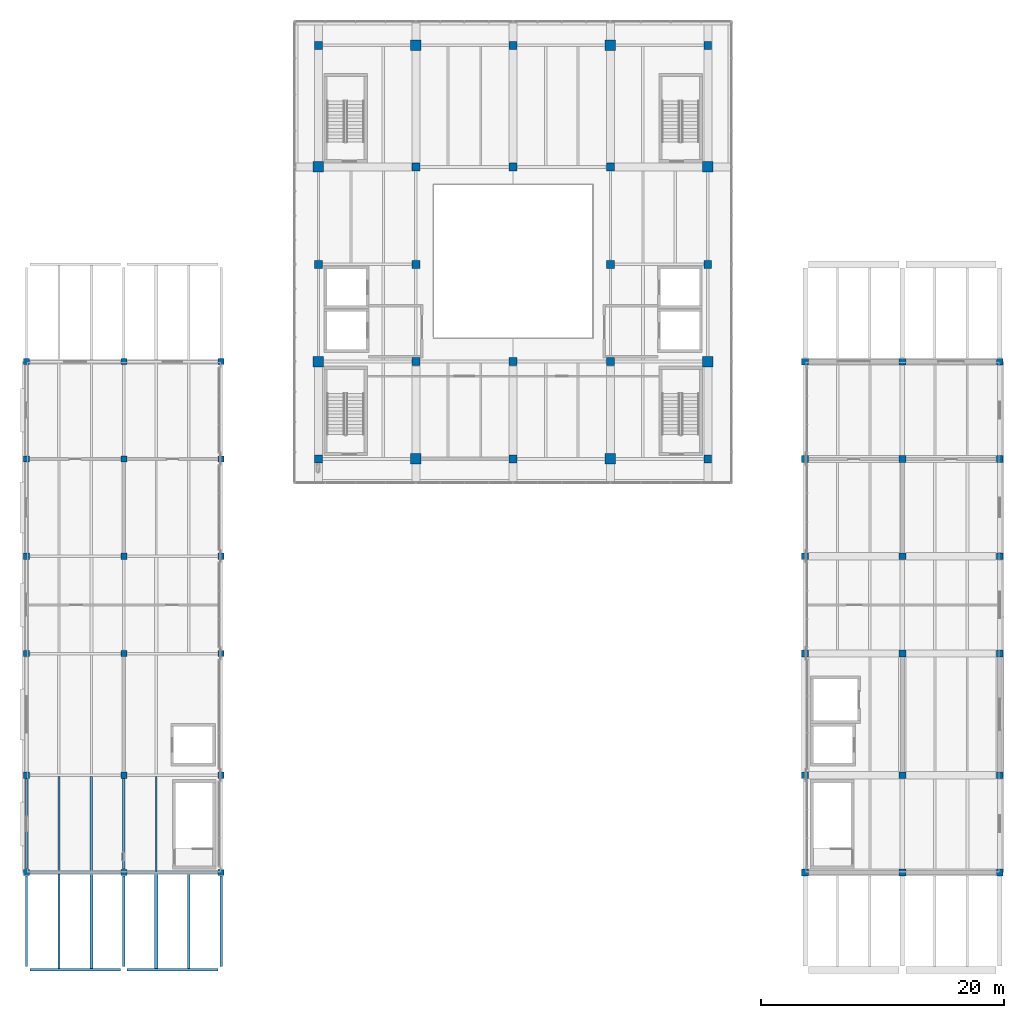
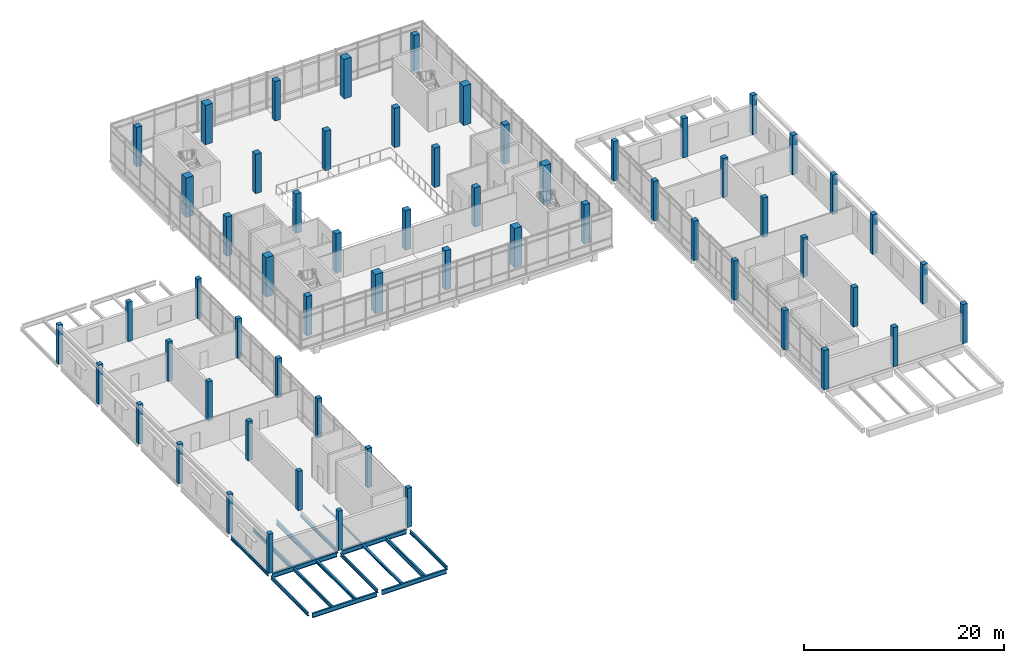
# One storey, part 1 of 28: 60 columns, 16 beams.
"""IFC4 building model written with IfcOpenShell, lengths in metres."""

from ifc_helpers import new_model, si_unit, direction, frame, origin, origin_2d, place, context, subcontext, project, spatial, rectangle, i_section, extrude, material, material_profile, profile_set, type_object, element, save


model = new_model("IFC4")

# Units and contexts
model_context = context("Model", 3, precision=1e-05, world=origin(), true_north=direction((0.0, 1.0)))
body_context = subcontext(model_context, "Body", "Model", "MODEL_VIEW")
ifc_project = project(units=[si_unit("LENGTHUNIT", "METRE"), si_unit("AREAUNIT", "SQUARE_METRE"), si_unit("VOLUMEUNIT", "CUBIC_METRE"), si_unit("PLANEANGLEUNIT", "RADIAN"), si_unit("MASSUNIT", "GRAM", prefix="KILO")], contexts=[model_context])

# Site, building, storey
site_placement = place(None, origin())
site = spatial("IfcSite", under=ifc_project, at=site_placement, CompositionType="ELEMENT")
building_placement = place(site_placement, origin())
building = spatial("IfcBuilding", under=site, at=building_placement, Name="Pecanmere Concourse Central Library", CompositionType="ELEMENT")
storey_placement = place(building_placement, frame((0.0, 0.0, 20.10009765625)))
storey = spatial("IfcBuildingStorey", under=building, at=storey_placement, Name="L05", CompositionType="ELEMENT", Elevation=20.10009765625)

# Columns
ifc_material_1 = material(Name="Concrete C40/50", Category="concrete")
ifc_material_profile_1 = material_profile(ifc_material_1, rectangle(XDim=0.5, YDim=0.5, at=origin_2d()), Name="RC 500x500")
ifc_profile_set_1 = profile_set([ifc_material_profile_1], Name="Concrete C40/50")
column_type_1 = type_object("IfcColumnType", Name="COL_RC_500x500", PredefinedType="COLUMN", material=ifc_profile_set_1)
for number, where, z_axis, x_axis, name in (
    (1, (48.0, 56.0, 0.0), (0.0, 0.0, 1.0), (1.0, 0.0, 0.0), "Column C-10 L05-001"),
    (2, (48.0, 64.0, 0.0), (0.0, 0.0, 1.0), (1.0, 0.0, 0.0), "Column C-10 L05-002"),
    (3, (48.0, 74.0, 0.0), (0.0, 0.0, 1.0), (1.0, 0.0, 0.0), "Column C-10 L05-003"),
    (4, (48.0, 82.0, 0.0), (0.0, 0.0, 1.0), (1.0, 0.0, 0.0), "Column C-10 L05-004"),
    (5, (48.0, 90.0, 0.0), (0.0, 0.0, 1.0), (1.0, 0.0, 0.0), "Column C-10 L05-005"),
    (6, (48.0, 98.0, 0.0), (0.0, 0.0, 1.0), (1.0, 0.0, 0.0), "Column C-10 L05-006"),
    (7, (56.0, 56.0, 0.0), (0.0, 0.0, 1.0), (1.0, 0.0, 0.0), "Column C-10 L05-007"),
    (8, (56.0, 64.0, 0.0), (0.0, 0.0, 1.0), (1.0, 0.0, 0.0), "Column C-10 L05-008"),
    (9, (56.0, 74.0, 0.0), (0.0, 0.0, 1.0), (1.0, 0.0, 0.0), "Column C-10 L05-009"),
    (10, (56.0, 82.0, 0.0), (0.0, 0.0, 1.0), (1.0, 0.0, 0.0), "Column C-10 L05-010"),
    (11, (56.0, 90.0, 0.0), (0.0, 0.0, 1.0), (1.0, 0.0, 0.0), "Column C-10 L05-011"),
    (12, (56.0, 98.0, 0.0), (0.0, 0.0, 1.0), (1.0, 0.0, 0.0), "Column C-10 L05-012"),
    (13, (64.0, 56.0, 0.0), (0.0, 0.0, 1.0), (1.0, 0.0, 0.0), "Column C-10 L05-013"),
    (14, (64.0, 64.0, 0.0), (0.0, 0.0, 1.0), (1.0, 0.0, 0.0), "Column C-10 L05-014"),
    (15, (64.0, 74.0, 0.0), (0.0, 0.0, 1.0), (1.0, 0.0, 0.0), "Column C-10 L05-015"),
    (16, (64.0, 82.0, 0.0), (0.0, 0.0, 1.0), (1.0, 0.0, 0.0), "Column C-10 L05-016"),
    (17, (64.0, 90.0, 0.0), (0.0, 0.0, 1.0), (1.0, 0.0, 0.0), "Column C-10 L05-017"),
    (18, (64.0, 98.0, 0.0), (0.0, 0.0, 1.0), (1.0, 0.0, 0.0), "Column C-10 L05-018"),
):
    element("IfcColumn", number, at=place(storey_placement, frame(where, z_axis=z_axis, x_axis=x_axis)), inside=storey, type_object=column_type_1, Name=name, PredefinedType="COLUMN", context=body_context, shape_type="SweptSolid", body=[
        extrude(rectangle(XDim=0.5, YDim=0.5, at=origin_2d()), origin(), (0.0, 0.0, 1.0), 4.7998046875),
    ])
ifc_material_2 = material(Name="Concrete C40/50", Category="concrete")
ifc_material_profile_2 = material_profile(ifc_material_2, rectangle(XDim=0.550048828125, YDim=0.550048828125, at=origin_2d()), Name="RC 550x550")
ifc_profile_set_2 = profile_set([ifc_material_profile_2], Name="Concrete C40/50")
column_type_2 = type_object("IfcColumnType", Name="COL_RC_550x550", PredefinedType="COLUMN", material=ifc_profile_set_2)
for number, where, z_axis, x_axis, name in (
    (19, (112.0, 56.0, 0.0), (0.0, 0.0, 1.0), (1.0, 0.0, 0.0), "Column C-09 L05-043"),
    (20, (112.0, 64.0, 0.0), (0.0, 0.0, 1.0), (1.0, 0.0, 0.0), "Column C-09 L05-044"),
    (21, (112.0, 74.0, 0.0), (0.0, 0.0, 1.0), (1.0, 0.0, 0.0), "Column C-09 L05-045"),
    (22, (112.0, 82.0, 0.0), (0.0, 0.0, 1.0), (1.0, 0.0, 0.0), "Column C-09 L05-046"),
    (23, (112.0, 90.0, 0.0), (0.0, 0.0, 1.0), (1.0, 0.0, 0.0), "Column C-09 L05-047"),
    (24, (112.0, 98.0, 0.0), (0.0, 0.0, 1.0), (1.0, 0.0, 0.0), "Column C-09 L05-048"),
    (25, (120.0, 56.0, 0.0), (0.0, 0.0, 1.0), (1.0, 0.0, 0.0), "Column C-09 L05-049"),
    (26, (120.0, 64.0, 0.0), (0.0, 0.0, 1.0), (1.0, 0.0, 0.0), "Column C-09 L05-050"),
    (27, (120.0, 74.0, 0.0), (0.0, 0.0, 1.0), (1.0, 0.0, 0.0), "Column C-09 L05-051"),
    (28, (120.0, 82.0, 0.0), (0.0, 0.0, 1.0), (1.0, 0.0, 0.0), "Column C-09 L05-052"),
    (29, (120.0, 90.0, 0.0), (0.0, 0.0, 1.0), (1.0, 0.0, 0.0), "Column C-09 L05-053"),
    (30, (120.0, 98.0, 0.0), (0.0, 0.0, 1.0), (1.0, 0.0, 0.0), "Column C-09 L05-054"),
    (31, (128.0, 56.0, 0.0), (0.0, 0.0, 1.0), (1.0, 0.0, 0.0), "Column C-09 L05-055"),
    (32, (128.0, 64.0, 0.0), (0.0, 0.0, 1.0), (1.0, 0.0, 0.0), "Column C-09 L05-056"),
    (33, (128.0, 74.0, 0.0), (0.0, 0.0, 1.0), (1.0, 0.0, 0.0), "Column C-09 L05-057"),
    (34, (128.0, 82.0, 0.0), (0.0, 0.0, 1.0), (1.0, 0.0, 0.0), "Column C-09 L05-058"),
    (35, (128.0, 90.0, 0.0), (0.0, 0.0, 1.0), (1.0, 0.0, 0.0), "Column C-09 L05-059"),
    (36, (128.0, 98.0, 0.0), (0.0, 0.0, 1.0), (1.0, 0.0, 0.0), "Column C-09 L05-060"),
):
    element("IfcColumn", number, at=place(storey_placement, frame(where, z_axis=z_axis, x_axis=x_axis)), inside=storey, type_object=column_type_2, Name=name, PredefinedType="COLUMN", context=body_context, shape_type="SweptSolid", body=[
        extrude(rectangle(XDim=0.550048828125, YDim=0.550048828125, at=origin_2d()), origin(), (0.0, 0.0, 1.0), 4.7998046875),
    ])
ifc_material_3 = material(Name="Concrete C40/50", Category="concrete")
ifc_material_profile_3 = material_profile(ifc_material_3, rectangle(XDim=0.64990234375, YDim=0.64990234375, at=origin_2d()), Name="RC 650x650")
ifc_profile_set_3 = profile_set([ifc_material_profile_3], Name="Concrete C40/50")
column_type_3 = type_object("IfcColumnType", Name="COL_RC_650x650", PredefinedType="COLUMN", material=ifc_profile_set_3)
for number, where, z_axis, x_axis, name in (
    (37, (72.0, 90.0, 0.0), (0.0, 0.0, 1.0), (1.0, 0.0, 0.0), "Column C-07 L05-019"),
    (38, (72.0, 106.0, 0.0), (0.0, 0.0, 1.0), (1.0, 0.0, 0.0), "Column C-07 L05-021"),
    (39, (72.0, 124.0, 0.0), (0.0, 0.0, 1.0), (1.0, 0.0, 0.0), "Column C-07 L05-023"),
    (40, (80.0, 98.0, 0.0), (0.0, 0.0, 1.0), (1.0, 0.0, 0.0), "Column C-07 L05-025"),
    (41, (80.0, 106.0, 0.0), (0.0, 0.0, 1.0), (1.0, 0.0, 0.0), "Column C-07 L05-026"),
    (42, (80.0, 114.0, 0.0), (0.0, 0.0, 1.0), (1.0, 0.0, 0.0), "Column C-07 L05-027"),
    (43, (88.0, 90.0, 0.0), (0.0, 0.0, 1.0), (1.0, 0.0, 0.0), "Column C-07 L05-029"),
    (44, (88.0, 98.0, 0.0), (0.0, 0.0, 1.0), (1.0, 0.0, 0.0), "Column C-07 L05-030"),
    (45, (88.0, 114.0, 0.0), (0.0, 0.0, 1.0), (1.0, 0.0, 0.0), "Column C-07 L05-031"),
    (46, (88.0, 124.0, 0.0), (0.0, 0.0, 1.0), (1.0, 0.0, 0.0), "Column C-07 L05-032"),
    (47, (96.0, 98.0, 0.0), (0.0, 0.0, 1.0), (1.0, 0.0, 0.0), "Column C-07 L05-034"),
    (48, (96.0, 106.0, 0.0), (0.0, 0.0, 1.0), (1.0, 0.0, 0.0), "Column C-07 L05-035"),
    (49, (96.0, 114.0, 0.0), (0.0, 0.0, 1.0), (1.0, 0.0, 0.0), "Column C-07 L05-036"),
    (50, (104.0, 90.0, 0.0), (0.0, 0.0, 1.0), (1.0, 0.0, 0.0), "Column C-07 L05-038"),
    (51, (104.0, 106.0, 0.0), (0.0, 0.0, 1.0), (1.0, 0.0, 0.0), "Column C-07 L05-040"),
    (52, (104.0, 124.0, 0.0), (0.0, 0.0, 1.0), (1.0, 0.0, 0.0), "Column C-07 L05-042"),
):
    element("IfcColumn", number, at=place(storey_placement, frame(where, z_axis=z_axis, x_axis=x_axis)), inside=storey, type_object=column_type_3, Name=name, PredefinedType="COLUMN", context=body_context, shape_type="SweptSolid", body=[
        extrude(rectangle(XDim=0.64990234375, YDim=0.64990234375, at=origin_2d()), origin(), (0.0, 0.0, 1.0), 4.7998046875),
    ])
ifc_material_4 = material(Name="Concrete C40/50", Category="concrete")
ifc_material_profile_4 = material_profile(ifc_material_4, rectangle(XDim=0.860107421875, YDim=0.860107421875, at=origin_2d()), Name="RC 860x860")
ifc_profile_set_4 = profile_set([ifc_material_profile_4], Name="Concrete C40/50")
column_type_4 = type_object("IfcColumnType", Name="COL_RC_860x860", PredefinedType="COLUMN", material=ifc_profile_set_4)
for number, where, z_axis, x_axis, name in (
    (53, (72.0, 98.0, 0.0), (0.0, 0.0, 1.0), (1.0, 0.0, 0.0), "Column C-03 L05-020"),
    (54, (72.0, 114.0, 0.0), (0.0, 0.0, 1.0), (1.0, 0.0, 0.0), "Column C-03 L05-022"),
    (55, (80.0, 90.0, 0.0), (0.0, 0.0, 1.0), (1.0, 0.0, 0.0), "Column C-03 L05-024"),
    (56, (80.0, 124.0, 0.0), (0.0, 0.0, 1.0), (1.0, 0.0, 0.0), "Column C-03 L05-028"),
    (57, (96.0, 90.0, 0.0), (0.0, 0.0, 1.0), (1.0, 0.0, 0.0), "Column C-03 L05-033"),
    (58, (96.0, 124.0, 0.0), (0.0, 0.0, 1.0), (1.0, 0.0, 0.0), "Column C-03 L05-037"),
    (59, (104.0, 98.0, 0.0), (0.0, 0.0, 1.0), (1.0, 0.0, 0.0), "Column C-03 L05-039"),
    (60, (104.0, 114.0, 0.0), (0.0, 0.0, 1.0), (1.0, 0.0, 0.0), "Column C-03 L05-041"),
):
    element("IfcColumn", number, at=place(storey_placement, frame(where, z_axis=z_axis, x_axis=x_axis)), inside=storey, type_object=column_type_4, Name=name, PredefinedType="COLUMN", context=body_context, shape_type="SweptSolid", body=[
        extrude(rectangle(XDim=0.860107421875, YDim=0.860107421875, at=origin_2d()), origin(), (0.0, 0.0, 1.0), 4.7998046875),
    ])

# Beams
ifc_material_5 = material(Name="Structural steel ASTM A992 Grade 50", Category="steel")
ifc_material_profile_5 = material_profile(ifc_material_5, i_section(OverallWidth=0.152099609375, OverallDepth=0.152099609375, WebThickness=0.005859375, FlangeThickness=0.006591796875, at=origin_2d()), Name="W150x22.5")
ifc_profile_set_5 = profile_set([ifc_material_profile_5], Name="Structural steel ASTM A992 Grade 50")
beam_type_1 = type_object("IfcBeamType", Name="SBM_W150x22", PredefinedType="LINTEL", material=ifc_profile_set_5)
beam_1_placement = place(storey_placement, frame((58.666748046875, 56.10546875, -0.356201171875), z_axis=(0.0, 1.0, 0.0), x_axis=(-1.0, 0.0, 0.0)))
element("IfcBeam", 61, at=beam_1_placement, inside=storey, type_object=beam_type_1, Name="Secondary Floor Joist L05-2570", PredefinedType="LINTEL", context=body_context, shape_type="SweptSolid", body=[
    extrude(i_section(OverallWidth=0.152099609375, OverallDepth=0.152099609375, WebThickness=0.005859375, FlangeThickness=0.006591796875, at=origin_2d()), origin(), (0.0, 0.0, 1.0), 7.7890625),
])
ifc_material_6 = material(Name="Structural steel ASTM A992 Grade 50", Category="steel")
ifc_material_profile_6 = material_profile(ifc_material_6, i_section(OverallWidth=0.25390625, OverallDepth=0.2529296875, WebThickness=0.008544921875, FlangeThickness=0.01416015625, at=origin_2d()), Name="W250x73")
ifc_profile_set_6 = profile_set([ifc_material_profile_6], Name="Structural steel ASTM A992 Grade 50")
beam_type_2 = type_object("IfcBeamType", Name="SBM_W250x73", PredefinedType="BEAM", material=ifc_profile_set_6)
beam_2_placement = place(storey_placement, frame((58.666748046875, 48.10546875, -0.406494140625), z_axis=(0.0, 1.0, 0.0), x_axis=(-1.0, 0.0, 0.0)))
element("IfcBeam", 62, at=beam_2_placement, inside=storey, type_object=beam_type_2, Name="Secondary Floor Joist L05-2568", PredefinedType="BEAM", context=body_context, shape_type="SweptSolid", body=[
    extrude(i_section(OverallWidth=0.25390625, OverallDepth=0.2529296875, WebThickness=0.008544921875, FlangeThickness=0.01416015625, at=origin_2d()), origin(), (0.0, 0.0, 1.0), 7.7890625),
])
ifc_material_7 = material(Name="Structural steel ASTM A992 Grade 50", Category="steel")
ifc_material_profile_7 = material_profile(ifc_material_7, i_section(OverallWidth=0.25390625, OverallDepth=0.35302734375, WebThickness=0.009521484375, FlangeThickness=0.016357421875, at=origin_2d()), Name="W360x91")
ifc_profile_set_7 = profile_set([ifc_material_profile_7], Name="Structural steel ASTM A992 Grade 50")
beam_type_3 = type_object("IfcBeamType", Name="SBM_W360x91", PredefinedType="BEAM", material=ifc_profile_set_7)
beam_3_placement = place(storey_placement, frame((53.333251953125, 48.10546875, -0.45654296875), z_axis=(0.0, 1.0, 0.0), x_axis=(-1.0, 0.0, 0.0)))
element("IfcBeam", 63, at=beam_3_placement, inside=storey, type_object=beam_type_3, Name="Secondary Floor Joist L05-2555", PredefinedType="BEAM", context=body_context, shape_type="SweptSolid", body=[
    extrude(i_section(OverallWidth=0.25390625, OverallDepth=0.35302734375, WebThickness=0.009521484375, FlangeThickness=0.016357421875, at=origin_2d()), origin(), (0.0, 0.0, 1.0), 7.7890625),
])
ifc_material_8 = material(Name="Structural steel ASTM A992 Grade 50", Category="steel")
ifc_material_profile_8 = material_profile(ifc_material_8, i_section(OverallWidth=0.180908203125, OverallDepth=0.4169921875, WebThickness=0.010986328125, FlangeThickness=0.018310546875, at=origin_2d()), Name="W410x85")
ifc_profile_set_8 = profile_set([ifc_material_profile_8], Name="Structural steel ASTM A992 Grade 50")
beam_type_4 = type_object("IfcBeamType", Name="SBM_W410x85", PredefinedType="BEAM", material=ifc_profile_set_8)
for number, where, z_axis, x_axis, name in (
    (64, (48.0, 48.27490234375, -0.488525390625), (0.0, 1.0, 0.0), (-1.0, 0.0, 0.0), "Primary Girder Y L05-2484"),
    (65, (48.0, 56.27490234375, -0.488525390625), (0.0, 1.0, 0.0), (-1.0, 0.0, 0.0), "Primary Girder Y L05-2485"),
    (66, (56.0, 48.27490234375, -0.488525390625), (0.0, 1.0, 0.0), (-1.0, 0.0, 0.0), "Primary Girder Y L05-2491"),
    (67, (56.0, 56.27490234375, -0.488525390625), (0.0, 1.0, 0.0), (-1.0, 0.0, 0.0), "Primary Girder Y L05-2492"),
    (68, (64.0, 48.27490234375, -0.488525390625), (0.0, 1.0, 0.0), (-1.0, 0.0, 0.0), "Primary Girder Y L05-2498"),
):
    element("IfcBeam", number, at=place(storey_placement, frame(where, z_axis=z_axis, x_axis=x_axis)), inside=storey, type_object=beam_type_4, Name=name, PredefinedType="BEAM", context=body_context, shape_type="SweptSolid", body=[
        extrude(i_section(OverallWidth=0.180908203125, OverallDepth=0.4169921875, WebThickness=0.010986328125, FlangeThickness=0.018310546875, at=origin_2d()), origin(), (0.0, 0.0, 1.0), 7.4501953125),
    ])
beam_4_placement = place(storey_placement, frame((50.666748046875, 48.10546875, -0.488525390625), z_axis=(0.0, 1.0, 0.0), x_axis=(-1.0, 0.0, 0.0)))
element("IfcBeam", 69, at=beam_4_placement, inside=storey, type_object=beam_type_4, Name="Secondary Floor Joist L05-2554", PredefinedType="BEAM", context=body_context, shape_type="SweptSolid", body=[
    extrude(i_section(OverallWidth=0.180908203125, OverallDepth=0.4169921875, WebThickness=0.010986328125, FlangeThickness=0.018310546875, at=origin_2d()), origin(), (0.0, 0.0, 1.0), 7.7890625),
])
ifc_material_9 = material(Name="Structural steel ASTM A992 Grade 50", Category="steel")
ifc_material_profile_9 = material_profile(ifc_material_9, i_section(OverallWidth=0.194091796875, OverallDepth=0.468994140625, WebThickness=0.0126953125, FlangeThickness=0.0205078125, at=origin_2d()), Name="W460x106")
ifc_profile_set_9 = profile_set([ifc_material_profile_9], Name="Structural steel ASTM A992 Grade 50")
beam_type_5 = type_object("IfcBeamType", Name="SBM_W460x106", PredefinedType="USERDEFINED", material=ifc_profile_set_9)
beam_5_placement = place(storey_placement, frame((50.666748046875, 56.10546875, -0.5146484375), z_axis=(0.0, 1.0, 0.0), x_axis=(-1.0, 0.0, 0.0)))
element("IfcBeam", 70, at=beam_5_placement, inside=storey, type_object=beam_type_5, Name="Secondary Floor Joist L05-2556", ObjectType="GIRDER", PredefinedType="USERDEFINED", context=body_context, shape_type="SweptSolid", body=[
    extrude(i_section(OverallWidth=0.194091796875, OverallDepth=0.468994140625, WebThickness=0.0126953125, FlangeThickness=0.0205078125, at=origin_2d()), origin(), (0.0, 0.0, 1.0), 7.7890625),
])
ifc_material_10 = material(Name="Structural steel ASTM A992 Grade 50", Category="steel")
ifc_material_profile_10 = material_profile(ifc_material_10, i_section(OverallWidth=0.2109375, OverallDepth=0.5390625, WebThickness=0.01171875, FlangeThickness=0.018798828125, at=origin_2d()), Name="W530x109")
ifc_profile_set_10 = profile_set([ifc_material_profile_10], Name="Structural steel ASTM A992 Grade 50")
beam_type_6 = type_object("IfcBeamType", Name="SBM_W530x109", PredefinedType="USERDEFINED", material=ifc_profile_set_10)
for number, where, z_axis, x_axis, name in (
    (71, (48.27490234375, 48.0, -0.549560546875), (1.0, 0.0, 0.0), (0.0, 1.0, 0.0), "Primary Girder X L05-2434"),
    (72, (56.27490234375, 48.0, -0.549560546875), (1.0, 0.0, 0.0), (0.0, 1.0, 0.0), "Primary Girder X L05-2435"),
    (73, (48.27490234375, 56.0, -0.549560546875), (1.0, 0.0, 0.0), (0.0, 1.0, 0.0), "Primary Girder X L05-2438"),
    (74, (56.27490234375, 56.0, -0.549560546875), (1.0, 0.0, 0.0), (0.0, 1.0, 0.0), "Primary Girder X L05-2439"),
):
    element("IfcBeam", number, at=place(storey_placement, frame(where, z_axis=z_axis, x_axis=x_axis)), inside=storey, type_object=beam_type_6, Name=name, ObjectType="GIRDER", PredefinedType="USERDEFINED", context=body_context, shape_type="SweptSolid", body=[
        extrude(i_section(OverallWidth=0.2109375, OverallDepth=0.5390625, WebThickness=0.01171875, FlangeThickness=0.018798828125, at=origin_2d()), origin(), (0.0, 0.0, 1.0), 7.4501953125),
    ])
beam_6_placement = place(storey_placement, frame((53.333251953125, 56.10546875, -0.549560546875), z_axis=(0.0, 1.0, 0.0), x_axis=(-1.0, 0.0, 0.0)))
element("IfcBeam", 75, at=beam_6_placement, inside=storey, type_object=beam_type_6, Name="Secondary Floor Joist L05-2557", ObjectType="GIRDER", PredefinedType="USERDEFINED", context=body_context, shape_type="SweptSolid", body=[
    extrude(i_section(OverallWidth=0.2109375, OverallDepth=0.5390625, WebThickness=0.01171875, FlangeThickness=0.018798828125, at=origin_2d()), origin(), (0.0, 0.0, 1.0), 7.7890625),
])
ifc_material_11 = material(Name="Structural steel ASTM A992 Grade 50", Category="steel")
ifc_material_profile_11 = material_profile(ifc_material_11, i_section(OverallWidth=0.208984375, OverallDepth=0.532958984375, WebThickness=0.01025390625, FlangeThickness=0.015625, at=origin_2d()), Name="W530x92")
ifc_profile_set_11 = profile_set([ifc_material_profile_11], Name="Structural steel ASTM A992 Grade 50")
beam_type_7 = type_object("IfcBeamType", Name="SBM_W530x92", PredefinedType="BEAM", material=ifc_profile_set_11)
beam_7_placement = place(storey_placement, frame((61.333251953125, 48.10546875, -0.546630859375), z_axis=(0.0, 1.0, 0.0), x_axis=(-1.0, 0.0, 0.0)))
element("IfcBeam", 76, at=beam_7_placement, inside=storey, type_object=beam_type_7, Name="Secondary Floor Joist L05-2569", PredefinedType="BEAM", context=body_context, shape_type="SweptSolid", body=[
    extrude(i_section(OverallWidth=0.208984375, OverallDepth=0.532958984375, WebThickness=0.01025390625, FlangeThickness=0.015625, at=origin_2d()), origin(), (0.0, 0.0, 1.0), 7.7890625),
])

save(model, "model.ifc")
